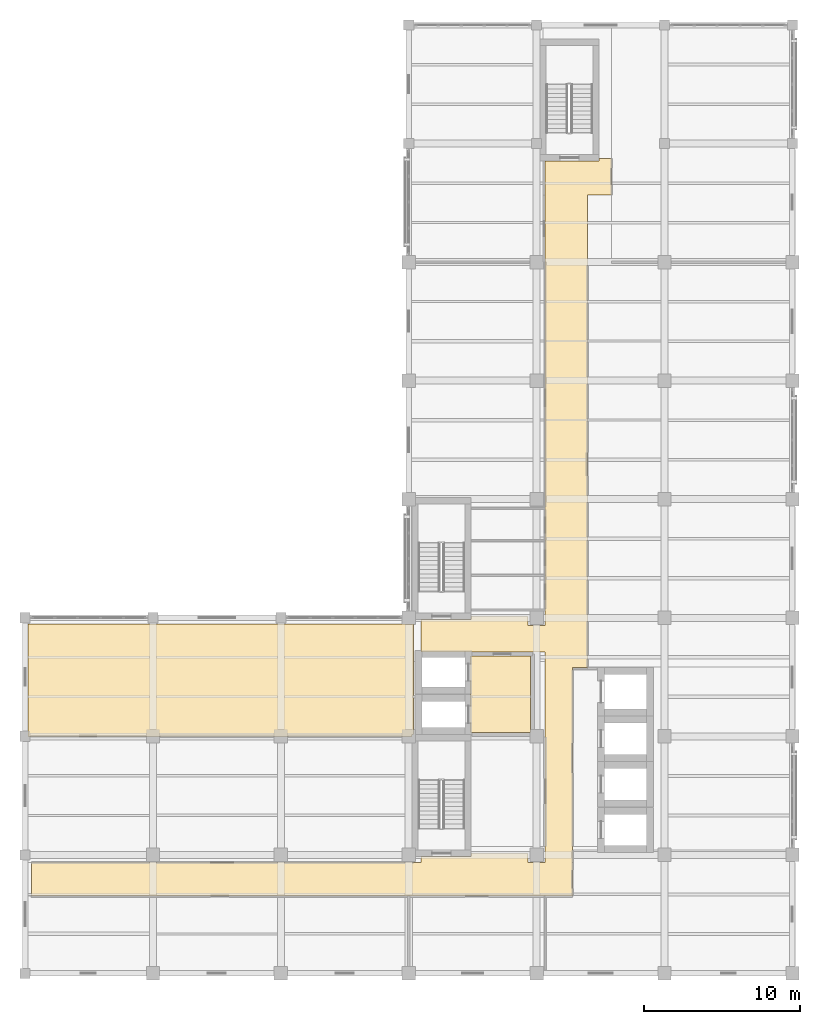
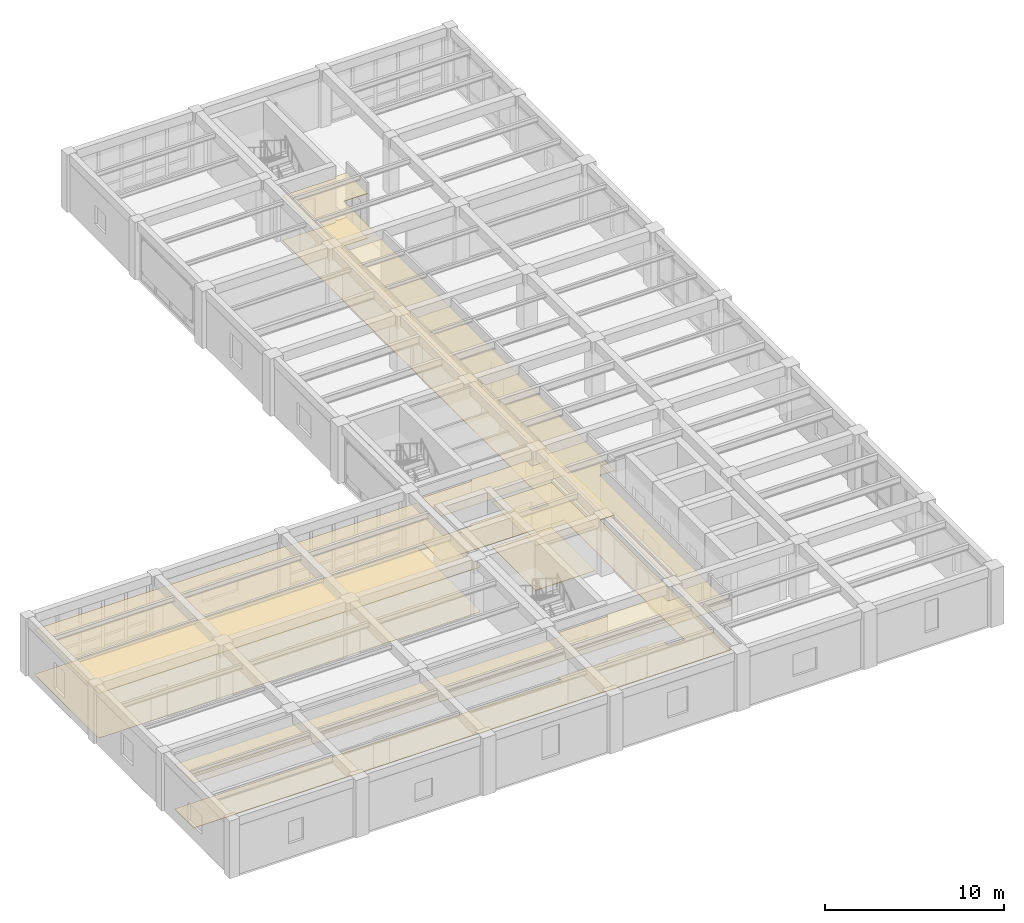
# One storey, part 13 of 16: 6 coverings.
"""IFC4 building model written with IfcOpenShell, lengths in metres."""

from ifc_helpers import new_model, si_unit, direction, frame, origin, place, context, subcontext, project, spatial, polyline, outline, extrude, material, layer, layer_set, type_object, element, save


model = new_model("IFC4")

# Units and contexts
model_context = context("Model", 3, precision=1e-05, world=origin(), true_north=direction((0.0, 1.0)))
body_context = subcontext(model_context, "Body", "Model", "MODEL_VIEW")
ifc_project = project(units=[si_unit("LENGTHUNIT", "METRE"), si_unit("AREAUNIT", "SQUARE_METRE"), si_unit("VOLUMEUNIT", "CUBIC_METRE"), si_unit("PLANEANGLEUNIT", "RADIAN"), si_unit("MASSUNIT", "GRAM", prefix="KILO")], contexts=[model_context])

# Site, building, storey
site_placement = place(None, origin())
site = spatial("IfcSite", under=ifc_project, at=site_placement, CompositionType="ELEMENT")
building_placement = place(site_placement, origin())
building = spatial("IfcBuilding", under=site, at=building_placement, Name="Qandaris Square Conservatory and Botanical Centre", CompositionType="ELEMENT")
storey_placement = place(building_placement, frame((0.0, 0.0, 24.0)))
storey = spatial("IfcBuildingStorey", under=building, at=storey_placement, Name="L05", CompositionType="ELEMENT", Elevation=24.0)

# Coverings
ifc_material_1 = material(Name="Honed Qatari Limestone", Category="masonry")
ifc_layer_1 = layer(ifc_material_1, 0.030029296875)
ifc_layer_set_1 = layer_set([ifc_layer_1], Name="Honed Qatari Limestone")
covering_type_1 = type_object("IfcCoveringType", Name="Honed Qatari Limestone Concourse Paving", PredefinedType="FLOORING", material=ifc_layer_set_1)
covering_1_placement = place(storey_placement, origin())
element("IfcCovering", 1, at=covering_1_placement, inside=storey, type_object=covering_type_1, Name="Firefighting Lift Lobby L05 Flooring", PredefinedType="FLOORING", context=body_context, shape_type="SweptSolid", body=[
    extrude(outline(polyline([(143.14990234375, 36.949951171875), (147.0, 36.949951171875), (147.0, 32.050048828125), (143.14990234375, 32.050048828125), (143.14990234375, 36.949951171875)])), origin(), (0.0, 0.0, 1.0), 0.030029296875),
])
covering_2_placement = place(storey_placement, origin())
element("IfcCovering", 2, at=covering_2_placement, inside=storey, type_object=covering_type_1, Name="Main Circulation Corridor L05 Flooring", PredefinedType="FLOORING", context=body_context, shape_type="SweptSolid", body=[
    extrude(outline(polyline([(140.0, 24.10009765625), (143.199951171875, 24.10009765625), (143.199951171875, 24.280029296875), (146.85009765625, 24.280029296875), (146.85009765625, 23.699951171875), (147.949951171875, 23.699951171875), (147.949951171875, 24.75), (147.949951171875, 31.75), (147.949951171875, 36.199951171875), (147.949951171875, 37.199951171875), (140.0, 37.199951171875), (140.0, 38.89990234375), (140.0, 39.300048828125), (143.199951171875, 39.300048828125), (143.199951171875, 39.47998046875), (146.85009765625, 39.47998046875), (146.85009765625, 38.89990234375), (147.949951171875, 38.89990234375), (147.949951171875, 39.89990234375), (147.949951171875, 42.1201171875), (147.949951171875, 44.340087890625), (147.949951171875, 46.419921875), (147.949951171875, 66.5), (147.949951171875, 68.699951171875), (151.39990234375, 68.699951171875), (151.39990234375, 68.85009765625), (152.199951171875, 68.85009765625), (152.199951171875, 66.5), (150.64990234375, 66.5), (150.64990234375, 36.199951171875), (149.699951171875, 36.199951171875), (149.699951171875, 36.050048828125), (149.699951171875, 24.75), (149.699951171875, 23.699951171875), (149.699951171875, 21.550048828125), (147.949951171875, 21.550048828125), (115.0, 21.550048828125), (115.0, 23.699951171875), (140.0, 23.699951171875), (140.0, 24.10009765625)])), origin(), (0.0, 0.0, 1.0), 0.030029296875),
])
ifc_material_2 = material(Name="Gypsum Plasterboard", Category="gypsum")
ifc_layer_2 = layer(ifc_material_2, 0.02490234375)
ifc_layer_set_2 = layer_set([ifc_layer_2], Name="Gypsum Plasterboard")
covering_type_2 = type_object("IfcCoveringType", Name="Perforated Acoustic Lab Ceiling Tile", PredefinedType="CEILING", material=ifc_layer_set_2)
covering_3_placement = place(storey_placement, frame((0.0, 0.0, 3.050048828125)))
element("IfcCovering", 3, at=covering_3_placement, inside=storey, type_object=covering_type_2, Name="Firefighting Lift Lobby L05 Ceiling", PredefinedType="CEILING", context=body_context, shape_type="SweptSolid", body=[
    extrude(outline(polyline([(143.14990234375, 36.949951171875), (147.0, 36.949951171875), (147.0, 32.050048828125), (143.14990234375, 32.050048828125), (143.14990234375, 36.949951171875)])), origin(), (0.0, 0.0, 1.0), 0.02490234375),
])
covering_4_placement = place(storey_placement, frame((0.0, 0.0, 3.050048828125)))
element("IfcCovering", 4, at=covering_4_placement, inside=storey, type_object=covering_type_2, Name="Main Circulation Corridor L05 Ceiling", PredefinedType="CEILING", context=body_context, shape_type="SweptSolid", body=[
    extrude(outline(polyline([(140.0, 24.10009765625), (143.199951171875, 24.10009765625), (143.199951171875, 24.280029296875), (146.85009765625, 24.280029296875), (146.85009765625, 23.699951171875), (147.949951171875, 23.699951171875), (147.949951171875, 24.75), (147.949951171875, 31.75), (147.949951171875, 36.199951171875), (147.949951171875, 37.199951171875), (140.0, 37.199951171875), (140.0, 38.89990234375), (140.0, 39.300048828125), (143.199951171875, 39.300048828125), (143.199951171875, 39.47998046875), (146.85009765625, 39.47998046875), (146.85009765625, 38.89990234375), (147.949951171875, 38.89990234375), (147.949951171875, 39.89990234375), (147.949951171875, 42.1201171875), (147.949951171875, 44.340087890625), (147.949951171875, 46.419921875), (147.949951171875, 66.5), (147.949951171875, 68.699951171875), (151.39990234375, 68.699951171875), (151.39990234375, 68.85009765625), (152.199951171875, 68.85009765625), (152.199951171875, 66.5), (150.64990234375, 66.5), (150.64990234375, 36.199951171875), (149.699951171875, 36.199951171875), (149.699951171875, 36.050048828125), (149.699951171875, 24.75), (149.699951171875, 23.699951171875), (149.699951171875, 21.550048828125), (147.949951171875, 21.550048828125), (115.0, 21.550048828125), (115.0, 23.699951171875), (140.0, 23.699951171875), (140.0, 24.10009765625)])), origin(), (0.0, 0.0, 1.0), 0.02490234375),
])
covering_5_placement = place(storey_placement, frame((0.0, 0.0, 3.050048828125)))
element("IfcCovering", 5, at=covering_5_placement, inside=storey, type_object=covering_type_2, Name="Plant Physiology Research Laboratory North Ceiling", PredefinedType="CEILING", context=body_context, shape_type="SweptSolid", body=[
    extrude(outline(polyline([(139.5, 31.89990234375), (139.39990234375, 31.89990234375), (139.39990234375, 31.800048828125), (114.780029296875, 31.800048828125), (114.780029296875, 39.0), (139.5, 39.0), (139.5, 31.89990234375)])), origin(), (0.0, 0.0, 1.0), 0.02490234375),
])
ifc_material_3 = material(Name="Epoxy Resin Screed", Category="finish")
ifc_layer_3 = layer(ifc_material_3, 0.014892578125)
ifc_layer_set_3 = layer_set([ifc_layer_3], Name="Epoxy Resin Screed")
covering_type_3 = type_object("IfcCoveringType", Name="Seamless Epoxy Laboratory Flooring", PredefinedType="FLOORING", material=ifc_layer_set_3)
covering_6_placement = place(storey_placement, origin())
element("IfcCovering", 6, at=covering_6_placement, inside=storey, type_object=covering_type_3, Name="Plant Physiology Research Laboratory North Flooring", PredefinedType="FLOORING", context=body_context, shape_type="SweptSolid", body=[
    extrude(outline(polyline([(139.5, 31.89990234375), (139.39990234375, 31.89990234375), (139.39990234375, 31.800048828125), (114.780029296875, 31.800048828125), (114.780029296875, 39.0), (139.5, 39.0), (139.5, 31.89990234375)])), origin(), (0.0, 0.0, 1.0), 0.014892578125),
])

save(model, "model.ifc")
